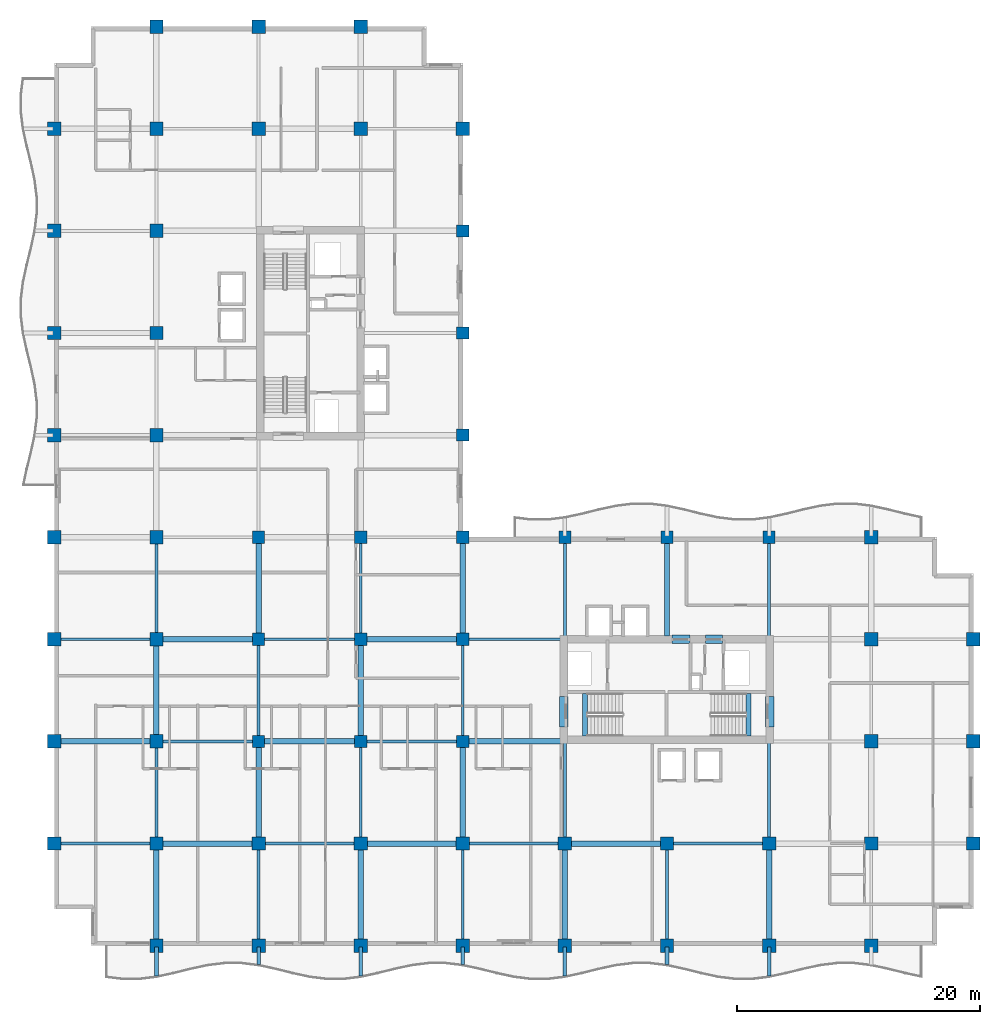
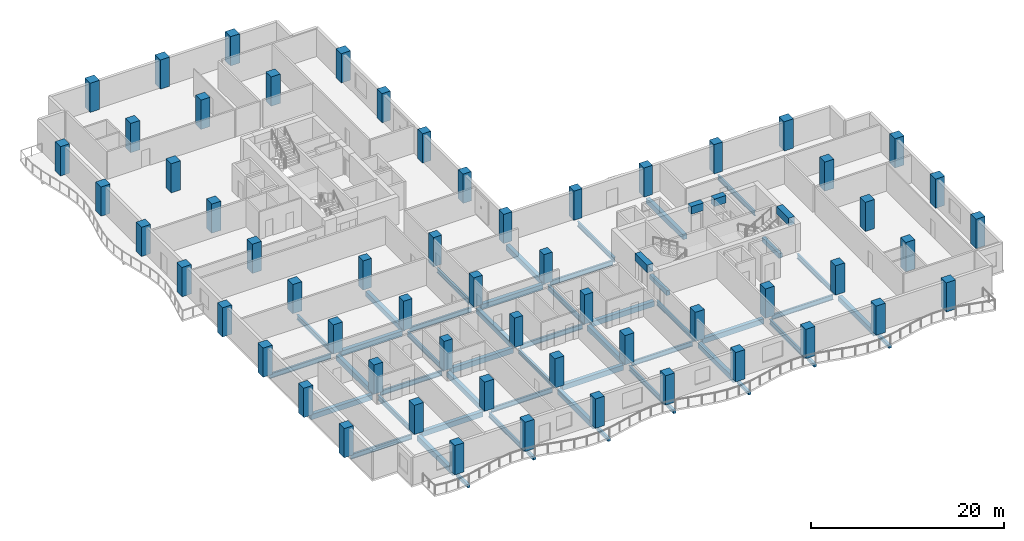
# One storey, part 1 of 14: 58 columns, 54 beams.
"""IFC4 building model written with IfcOpenShell, lengths in metres."""

import ifcopenshell
import ifcopenshell.guid

model = None  # the IFC model being written
_history = None  # IfcOwnerHistory: only IFC2X3 demands one
_inside = {}  # id of a spatial element -> (the spatial element, [elements in it])
_under = {}  # id of a project, library or spatial element -> (it, [spatial elements below it])
_declared = {}  # id of a project -> (the project, [libraries it declares])
_typed = {}  # id of a type object -> (the type object, [elements of that type])
_made_of = {}  # id of a material, layer set ... -> (it, [elements and type objects made of it])


def new_model(schema):
    """Start an empty IFC model of exactly this schema.

    Asked for "IFC4X3", IfcOpenShell would pick the latest addendum, in which some entities
    have other attributes; the version numbers below select the first issue.
    IFC2X3 requires an IfcOwnerHistory on every rooted entity: one is made here for all.
    """
    global model, _history
    if schema == "IFC4X3":
        model = ifcopenshell.file(schema_version=(4, 3, 0, 0))
    else:
        model = ifcopenshell.file(schema=schema)
    _inside.clear()
    _under.clear()
    _declared.clear()
    _typed.clear()
    _made_of.clear()
    _history = None
    if model.schema == "IFC2X3":
        org = make("IfcOrganization", Name="unknown")
        user = make(
            "IfcPersonAndOrganization",
            ThePerson=make("IfcPerson", FamilyName="unknown"),
            TheOrganization=org,
        )
        app = make(
            "IfcApplication",
            ApplicationDeveloper=org,
            Version="unknown",
            ApplicationFullName="unknown",
            ApplicationIdentifier="unknown",
        )
        _history = make(
            "IfcOwnerHistory",
            OwningUser=user,
            OwningApplication=app,
            ChangeAction="ADDED",
            CreationDate=0,
        )
    return model


def make(cls, **values):
    """One entity of the class cls with the attributes given. An attribute that is None is left unset."""
    return model.create_entity(
        cls, **{name: value for name, value in values.items() if value is not None}
    )


def rooted(cls, **values):
    """An entity with a GlobalId (a new one), such as an element, a storey or a relation."""
    return make(cls, GlobalId=ifcopenshell.guid.new(), OwnerHistory=_history, **values)


def si_unit(unit_type, name, prefix=None):
    """IfcSIUnit, for example si_unit("LENGTHUNIT", "METRE", prefix="MILLI")."""
    return make("IfcSIUnit", UnitType=unit_type, Prefix=prefix, Name=name)


def assignment(units):
    """IfcUnitAssignment: the units of a project."""
    return None if units is None else make("IfcUnitAssignment", Units=units)


def point(xyz):
    """IfcCartesianPoint."""
    return None if xyz is None else make("IfcCartesianPoint", Coordinates=xyz)


def direction(xyz):
    """IfcDirection."""
    return None if xyz is None else make("IfcDirection", DirectionRatios=xyz)


def frame(location, z_axis=None, x_axis=None):
    """IfcAxis2Placement3D, a coordinate frame: its origin and axes. An axis left out is left unset."""
    return make(
        "IfcAxis2Placement3D",
        Location=point(location),
        Axis=direction(z_axis),
        RefDirection=direction(x_axis),
    )


def frame_2d(location, x_axis=None):
    """IfcAxis2Placement2D, a coordinate frame in the plane: its origin and x axis."""
    return make(
        "IfcAxis2Placement2D", Location=point(location), RefDirection=direction(x_axis)
    )


def origin():
    """The frame at (0, 0, 0) with its axes left unset."""
    return frame((0.0, 0.0, 0.0))


def origin_2d():
    """The frame at (0, 0) in the plane with its x axis left unset."""
    return frame_2d((0.0, 0.0))


def place(relative_to, where):
    """IfcLocalPlacement: puts the frame where relative to a parent placement (None: the world)."""
    return make(
        "IfcLocalPlacement", PlacementRelTo=relative_to, RelativePlacement=where
    )


def context(
    kind, dimensions, precision=None, world=None, true_north=None, identifier=None
):
    """IfcGeometricRepresentationContext, for example the 3D "Model" context."""
    return make(
        "IfcGeometricRepresentationContext",
        ContextIdentifier=identifier,
        ContextType=kind,
        CoordinateSpaceDimension=dimensions,
        Precision=precision,
        WorldCoordinateSystem=world,
        TrueNorth=true_north,
    )


def subcontext(parent, identifier, kind, view, scale=None):
    """IfcGeometricRepresentationSubContext, for example "Body" below "Model"."""
    return make(
        "IfcGeometricRepresentationSubContext",
        ContextIdentifier=identifier,
        ContextType=kind,
        ParentContext=parent,
        TargetScale=scale,
        TargetView=view,
    )


def project(units=None, contexts=None):
    """IfcProject with its units and contexts."""
    return rooted(
        "IfcProject",
        Name="project",
        RepresentationContexts=contexts,
        UnitsInContext=assignment(units),
    )


def spatial(cls, under=None, at=None, **own):
    """A site, building, storey or space (cls), placed at a placement, below another one or the project."""
    s = rooted(cls, ObjectPlacement=at, **own)
    if under is not None:
        _under.setdefault(under.id(), (under, []))[1].append(s)
    return s


def profile(cls, at=None, kind="AREA", **sizes):
    """A parametric profile (cls). Its sizes go by their IFC names, for example OverallWidth=200.0."""
    return make(cls, ProfileType=kind, Position=at, **sizes)


def rectangle(**sizes):
    """IfcRectangleProfileDef."""
    return profile("IfcRectangleProfileDef", **sizes)


def i_section(**sizes):
    """IfcIShapeProfileDef."""
    return profile("IfcIShapeProfileDef", **sizes)


def extrude(swept, where, along, depth):
    """IfcExtrudedAreaSolid: the profile swept, set in the frame where, extruded along a direction by depth."""
    return make(
        "IfcExtrudedAreaSolid",
        SweptArea=swept,
        Position=where,
        ExtrudedDirection=direction(along),
        Depth=depth,
    )


def shape(context_of_items, identifier, shape_type, items):
    """IfcShapeRepresentation: the items that make up one representation, for example the "Body"."""
    return make(
        "IfcShapeRepresentation",
        ContextOfItems=context_of_items,
        RepresentationIdentifier=identifier,
        RepresentationType=shape_type,
        Items=items,
    )


def material(Name=None, Category=None):
    """IfcMaterial."""
    return make("IfcMaterial", Name=Name, Category=Category)


def material_profile(
    of_material, cross_section, Name=None, Category=None, Priority=None
):
    """IfcMaterialProfile: a cross section and its material."""
    return make(
        "IfcMaterialProfile",
        Name=Name,
        Material=of_material,
        Profile=cross_section,
        Priority=Priority,
        Category=Category,
    )


def profile_set(profiles, Name=None, composite=None):
    """IfcMaterialProfileSet."""
    return make(
        "IfcMaterialProfileSet",
        Name=Name,
        MaterialProfiles=profiles,
        CompositeProfile=composite,
    )


def made_of(thing, what):
    """Note that an element or type object is made of a material, layer set ...; save() writes the relation."""
    if what is not None:
        _made_of.setdefault(what.id(), (what, []))[1].append(thing)
    return thing


def type_object(cls, material=None, **own):
    """A type object (cls), such as IfcWallType, which elements share."""
    return made_of(rooted(cls, **own), material)


def element(
    cls,
    number,
    at=None,
    inside=None,
    cuts=None,
    type_object=None,
    material=None,
    context=None,
    identifier="Body",
    shape_type=None,
    held_by="IfcProductDefinitionShape",
    body=None,
    shapes=None,
    **own,
):
    """One element of the class cls, such as IfcWall. Its Tag is "e" and its number.

    at: its placement. inside: the storey or other place that contains it. cuts: it is an
    opening in that element (IfcRelVoidsElement). A single representation is given by context,
    identifier, shape_type and body (its items); several are given by shapes. held_by: the class
    of the entity that holds the representations. save() writes the other relations.
    """
    e = rooted(cls, Tag="e%d" % number, ObjectPlacement=at, **own)
    if body is not None:
        shapes = [shape(context, identifier, shape_type, body)]
    if shapes is not None:
        e.Representation = make(held_by, Representations=shapes)
    if inside is not None:
        _inside.setdefault(inside.id(), (inside, []))[1].append(e)
    if cuts is not None:
        rooted(
            "IfcRelVoidsElement", RelatingBuildingElement=cuts, RelatedOpeningElement=e
        )
    if type_object is not None:
        _typed.setdefault(type_object.id(), (type_object, []))[1].append(e)
    return made_of(e, material)


def aggregate(whole, parts):
    """IfcRelAggregates: a whole, such as a stair, and the parts it consists of."""
    return rooted("IfcRelAggregates", RelatingObject=whole, RelatedObjects=parts)


def save(model, path):
    """Write the relations noted so far, then the file.

    IfcRelAggregates (storeys below a building ...), IfcRelContainedInSpatialStructure (elements
    in a storey), IfcRelDefinesByType, IfcRelAssociatesMaterial and IfcRelDeclares: one each for
    every whole, place, type object, material and project.
    """
    for whole, parts in _under.values():
        aggregate(whole, parts)
    for where, things in _inside.values():
        rooted(
            "IfcRelContainedInSpatialStructure",
            RelatedElements=things,
            RelatingStructure=where,
        )
    for kind, things in _typed.values():
        rooted("IfcRelDefinesByType", RelatedObjects=things, RelatingType=kind)
    for what, things in _made_of.values():
        rooted("IfcRelAssociatesMaterial", RelatedObjects=things, RelatingMaterial=what)
    for by, libraries in _declared.values():
        rooted("IfcRelDeclares", RelatingContext=by, RelatedDefinitions=libraries)
    model.write(path)


model = new_model("IFC4")

# Units and contexts
model_context = context("Model", 3, precision=1e-05, world=origin(), true_north=direction((0.0, 1.0)))
body_context = subcontext(model_context, "Body", "Model", "MODEL_VIEW")
ifc_project = project(units=[si_unit("LENGTHUNIT", "METRE"), si_unit("AREAUNIT", "SQUARE_METRE"), si_unit("VOLUMEUNIT", "CUBIC_METRE"), si_unit("PLANEANGLEUNIT", "RADIAN"), si_unit("MASSUNIT", "GRAM", prefix="KILO")], contexts=[model_context])

# Site, building, storey
site_placement = place(None, origin())
site = spatial("IfcSite", under=ifc_project, at=site_placement, CompositionType="ELEMENT")
building_placement = place(site_placement, origin())
building = spatial("IfcBuilding", under=site, at=building_placement, Name="Koriwani Terraces Tower", CompositionType="ELEMENT")
storey_placement = place(building_placement, frame((0.0, 0.0, 208.699951171875)))
storey = spatial("IfcBuildingStorey", under=building, at=storey_placement, Name="L51", CompositionType="ELEMENT", Elevation=208.699951171875)

# Columns
ifc_material_1 = material(Name="Concrete C50/60", Category="concrete")
ifc_material_profile_1 = material_profile(ifc_material_1, rectangle(XDim=1.0, YDim=1.0, at=origin_2d()), Name="Concrete C50/60", Category="LoadBearing")
ifc_profile_set_1 = profile_set([ifc_material_profile_1], Name="Concrete C50/60")
column_type_1 = type_object("IfcColumnType", Name="COL_RC_1000X1000", PredefinedType="COLUMN", material=ifc_profile_set_1)
for number, where, z_axis, x_axis, name in (
    (1, (16.800048828125, 16.800048828125, 0.0), (0.0, 0.0, 1.0), (1.0, 0.0, 0.0), "L51 Column 3/C"),
    (2, (16.800048828125, 25.199951171875, 0.0), (0.0, 0.0, 1.0), (1.0, 0.0, 0.0), "L51 Column 3/D"),
    (3, (16.800048828125, 33.60009765625, 0.0), (0.0, 0.0, 1.0), (1.0, 0.0, 0.0), "L51 Column 3/E"),
    (4, (25.199951171875, 16.800048828125, 0.0), (0.0, 0.0, 1.0), (1.0, 0.0, 0.0), "L51 Column 4/C"),
    (5, (25.199951171875, 25.199951171875, 0.0), (0.0, 0.0, 1.0), (1.0, 0.0, 0.0), "L51 Column 4/D"),
    (6, (25.199951171875, 33.60009765625, 0.0), (0.0, 0.0, 1.0), (1.0, 0.0, 0.0), "L51 Column 4/E"),
    (7, (33.60009765625, 16.800048828125, 0.0), (0.0, 0.0, 1.0), (1.0, 0.0, 0.0), "L51 Column 5/C"),
    (8, (33.60009765625, 25.199951171875, 0.0), (0.0, 0.0, 1.0), (1.0, 0.0, 0.0), "L51 Column 5/D"),
    (9, (33.60009765625, 33.60009765625, 0.0), (0.0, 0.0, 1.0), (1.0, 0.0, 0.0), "L51 Column 5/E"),
    (10, (33.60009765625, 42.0, 0.0), (0.0, 0.0, 1.0), (1.0, 0.0, 0.0), "L51 Column 5/F"),
    (11, (33.60009765625, 50.39990234375, 0.0), (0.0, 0.0, 1.0), (1.0, 0.0, 0.0), "L51 Column 5/G"),
    (12, (33.60009765625, 58.800048828125, 0.0), (0.0, 0.0, 1.0), (1.0, 0.0, 0.0), "L51 Column 5/H"),
    (13, (42.0, 33.60009765625, 0.0), (0.0, 0.0, 1.0), (1.0, 0.0, 0.0), "L51 Column 6/E"),
    (14, (50.39990234375, 33.60009765625, 0.0), (0.0, 0.0, 1.0), (1.0, 0.0, 0.0), "L51 Column 7/E"),
    (15, (58.800048828125, 33.60009765625, 0.0), (0.0, 0.0, 1.0), (1.0, 0.0, 0.0), "L51 Column 8/E"),
):
    element("IfcColumn", number, at=place(storey_placement, frame(where, z_axis=z_axis, x_axis=x_axis)), inside=storey, type_object=column_type_1, Name=name, PredefinedType="COLUMN", context=body_context, shape_type="SweptSolid", body=[
        extrude(rectangle(XDim=1.0, YDim=1.0, at=origin_2d()), origin(), (0.0, 0.0, 1.0), 3.699951171875),
    ])
ifc_material_profile_2 = material_profile(ifc_material_1, rectangle(XDim=1.10009765625, YDim=1.10009765625, at=origin_2d()), Name="Concrete C50/60", Category="LoadBearing")
ifc_profile_set_2 = profile_set([ifc_material_profile_2], Name="Concrete C50/60")
column_type_2 = type_object("IfcColumnType", Name="COL_RC_1100X1100", PredefinedType="COLUMN", material=ifc_profile_set_2)
for number, where, z_axis, x_axis, name in (
    (16, (0.0, 8.39990234375, 0.0), (0.0, 0.0, 1.0), (1.0, 0.0, 0.0), "L51 Column 1/B"),
    (17, (0.0, 16.800048828125, 0.0), (0.0, 0.0, 1.0), (1.0, 0.0, 0.0), "L51 Column 1/C"),
    (18, (0.0, 25.199951171875, 0.0), (0.0, 0.0, 1.0), (1.0, 0.0, 0.0), "L51 Column 1/D"),
    (19, (0.0, 33.60009765625, 0.0), (0.0, 0.0, 1.0), (1.0, 0.0, 0.0), "L51 Column 1/E"),
    (20, (0.0, 42.0, 0.0), (0.0, 0.0, 1.0), (1.0, 0.0, 0.0), "L51 Column 1/F"),
    (21, (0.0, 50.39990234375, 0.0), (0.0, 0.0, 1.0), (1.0, 0.0, 0.0), "L51 Column 1/G"),
    (22, (0.0, 58.800048828125, 0.0), (0.0, 0.0, 1.0), (1.0, 0.0, 0.0), "L51 Column 1/H"),
    (23, (0.0, 67.199951171875, 0.0), (0.0, 0.0, 1.0), (1.0, 0.0, 0.0), "L51 Column 1/I"),
    (24, (8.39990234375, 0.0, 0.0), (0.0, 0.0, 1.0), (1.0, 0.0, 0.0), "L51 Column 2/A"),
    (25, (8.39990234375, 8.39990234375, 0.0), (0.0, 0.0, 1.0), (1.0, 0.0, 0.0), "L51 Column 2/B"),
    (26, (8.39990234375, 16.800048828125, 0.0), (0.0, 0.0, 1.0), (1.0, 0.0, 0.0), "L51 Column 2/C"),
    (27, (8.39990234375, 25.199951171875, 0.0), (0.0, 0.0, 1.0), (1.0, 0.0, 0.0), "L51 Column 2/D"),
    (28, (8.39990234375, 33.60009765625, 0.0), (0.0, 0.0, 1.0), (1.0, 0.0, 0.0), "L51 Column 2/E"),
    (29, (8.39990234375, 42.0, 0.0), (0.0, 0.0, 1.0), (1.0, 0.0, 0.0), "L51 Column 2/F"),
    (30, (8.39990234375, 50.39990234375, 0.0), (0.0, 0.0, 1.0), (1.0, 0.0, 0.0), "L51 Column 2/G"),
    (31, (8.39990234375, 58.800048828125, 0.0), (0.0, 0.0, 1.0), (1.0, 0.0, 0.0), "L51 Column 2/H"),
    (32, (8.39990234375, 67.199951171875, 0.0), (0.0, 0.0, 1.0), (1.0, 0.0, 0.0), "L51 Column 2/I"),
    (33, (8.39990234375, 75.60009765625, 0.0), (0.0, 0.0, 1.0), (1.0, 0.0, 0.0), "L51 Column 2/J"),
    (34, (16.800048828125, 0.0, 0.0), (0.0, 0.0, 1.0), (1.0, 0.0, 0.0), "L51 Column 3/A"),
    (35, (16.800048828125, 8.39990234375, 0.0), (0.0, 0.0, 1.0), (1.0, 0.0, 0.0), "L51 Column 3/B"),
    (36, (16.800048828125, 67.199951171875, 0.0), (0.0, 0.0, 1.0), (1.0, 0.0, 0.0), "L51 Column 3/I"),
    (37, (16.800048828125, 75.60009765625, 0.0), (0.0, 0.0, 1.0), (1.0, 0.0, 0.0), "L51 Column 3/J"),
    (38, (25.199951171875, 0.0, 0.0), (0.0, 0.0, 1.0), (1.0, 0.0, 0.0), "L51 Column 4/A"),
    (39, (25.199951171875, 8.39990234375, 0.0), (0.0, 0.0, 1.0), (1.0, 0.0, 0.0), "L51 Column 4/B"),
    (40, (25.199951171875, 67.199951171875, 0.0), (0.0, 0.0, 1.0), (1.0, 0.0, 0.0), "L51 Column 4/I"),
    (41, (25.199951171875, 75.60009765625, 0.0), (0.0, 0.0, 1.0), (1.0, 0.0, 0.0), "L51 Column 4/J"),
    (42, (33.60009765625, 0.0, 0.0), (0.0, 0.0, 1.0), (1.0, 0.0, 0.0), "L51 Column 5/A"),
    (43, (33.60009765625, 8.39990234375, 0.0), (0.0, 0.0, 1.0), (1.0, 0.0, 0.0), "L51 Column 5/B"),
    (44, (33.60009765625, 67.199951171875, 0.0), (0.0, 0.0, 1.0), (1.0, 0.0, 0.0), "L51 Column 5/I"),
    (45, (42.0, 0.0, 0.0), (0.0, 0.0, 1.0), (1.0, 0.0, 0.0), "L51 Column 6/A"),
    (46, (42.0, 8.39990234375, 0.0), (0.0, 0.0, 1.0), (1.0, 0.0, 0.0), "L51 Column 6/B"),
    (47, (50.39990234375, 0.0, 0.0), (0.0, 0.0, 1.0), (1.0, 0.0, 0.0), "L51 Column 7/A"),
    (48, (50.39990234375, 8.39990234375, 0.0), (0.0, 0.0, 1.0), (1.0, 0.0, 0.0), "L51 Column 7/B"),
    (49, (58.800048828125, 0.0, 0.0), (0.0, 0.0, 1.0), (1.0, 0.0, 0.0), "L51 Column 8/A"),
    (50, (58.800048828125, 8.39990234375, 0.0), (0.0, 0.0, 1.0), (1.0, 0.0, 0.0), "L51 Column 8/B"),
    (51, (67.199951171875, 0.0, 0.0), (0.0, 0.0, 1.0), (1.0, 0.0, 0.0), "L51 Column 9/A"),
    (52, (67.199951171875, 8.39990234375, 0.0), (0.0, 0.0, 1.0), (1.0, 0.0, 0.0), "L51 Column 9/B"),
    (53, (67.199951171875, 16.800048828125, 0.0), (0.0, 0.0, 1.0), (1.0, 0.0, 0.0), "L51 Column 9/C"),
    (54, (67.199951171875, 25.199951171875, 0.0), (0.0, 0.0, 1.0), (1.0, 0.0, 0.0), "L51 Column 9/D"),
    (55, (67.199951171875, 33.60009765625, 0.0), (0.0, 0.0, 1.0), (1.0, 0.0, 0.0), "L51 Column 9/E"),
    (56, (75.60009765625, 8.39990234375, 0.0), (0.0, 0.0, 1.0), (1.0, 0.0, 0.0), "L51 Column 10/B"),
    (57, (75.60009765625, 16.800048828125, 0.0), (0.0, 0.0, 1.0), (1.0, 0.0, 0.0), "L51 Column 10/C"),
    (58, (75.60009765625, 25.199951171875, 0.0), (0.0, 0.0, 1.0), (1.0, 0.0, 0.0), "L51 Column 10/D"),
):
    element("IfcColumn", number, at=place(storey_placement, frame(where, z_axis=z_axis, x_axis=x_axis)), inside=storey, type_object=column_type_2, Name=name, PredefinedType="COLUMN", context=body_context, shape_type="SweptSolid", body=[
        extrude(rectangle(XDim=1.10009765625, YDim=1.10009765625, at=origin_2d()), origin(), (0.0, 0.0, 1.0), 3.699951171875),
    ])

# Beams
ifc_material_2 = material(Name="Concrete C40/50", Category="concrete")
ifc_material_profile_3 = material_profile(ifc_material_2, rectangle(XDim=0.300048828125, YDim=0.39990234375, at=origin_2d()), Name="Concrete C40/50", Category="LoadBearing")
ifc_profile_set_3 = profile_set([ifc_material_profile_3], Name="Concrete C40/50")
beam_type_1 = type_object("IfcBeamType", Name="BEAM_RC_BALCONY_RIB_300X400", PredefinedType="JOIST", material=ifc_profile_set_3)
beam_1_placement = place(storey_placement, frame((8.39990234375, -2.502197265625, -0.429931640625), z_axis=(0.0, 1.0, 0.0), x_axis=(-1.0, 0.0, 0.0)))
element("IfcBeam", 59, at=beam_1_placement, inside=storey, type_object=beam_type_1, Name="L51 Balcony Bracket Rib S-1", PredefinedType="JOIST", context=body_context, shape_type="SweptSolid", body=[
    extrude(rectangle(XDim=0.300048828125, YDim=0.39990234375, at=origin_2d()), origin(), (0.0, 0.0, 1.0), 2.402099609375),
])
beam_2_placement = place(storey_placement, frame((16.800048828125, -1.547607421875, -0.429931640625), z_axis=(0.0, 1.0, 0.0), x_axis=(-1.0, 0.0, 0.0)))
element("IfcBeam", 60, at=beam_2_placement, inside=storey, type_object=beam_type_1, Name="L51 Balcony Bracket Rib S-2", PredefinedType="JOIST", context=body_context, shape_type="SweptSolid", body=[
    extrude(rectangle(XDim=0.300048828125, YDim=0.39990234375, at=origin_2d()), origin(), (0.0, 0.0, 1.0), 1.447509765625),
])
beam_3_placement = place(storey_placement, frame((25.199951171875, -2.502197265625, -0.429931640625), z_axis=(0.0, 1.0, 0.0), x_axis=(-1.0, 0.0, 0.0)))
element("IfcBeam", 61, at=beam_3_placement, inside=storey, type_object=beam_type_1, Name="L51 Balcony Bracket Rib S-3", PredefinedType="JOIST", context=body_context, shape_type="SweptSolid", body=[
    extrude(rectangle(XDim=0.300048828125, YDim=0.39990234375, at=origin_2d()), origin(), (0.0, 0.0, 1.0), 2.402099609375),
])
beam_4_placement = place(storey_placement, frame((33.60009765625, -1.547607421875, -0.429931640625), z_axis=(0.0, 1.0, 0.0), x_axis=(-1.0, 0.0, 0.0)))
element("IfcBeam", 62, at=beam_4_placement, inside=storey, type_object=beam_type_1, Name="L51 Balcony Bracket Rib S-4", PredefinedType="JOIST", context=body_context, shape_type="SweptSolid", body=[
    extrude(rectangle(XDim=0.300048828125, YDim=0.39990234375, at=origin_2d()), origin(), (0.0, 0.0, 1.0), 1.447509765625),
])
beam_5_placement = place(storey_placement, frame((42.0, -2.502197265625, -0.429931640625), z_axis=(0.0, 1.0, 0.0), x_axis=(-1.0, 0.0, 0.0)))
element("IfcBeam", 63, at=beam_5_placement, inside=storey, type_object=beam_type_1, Name="L51 Balcony Bracket Rib S-5", PredefinedType="JOIST", context=body_context, shape_type="SweptSolid", body=[
    extrude(rectangle(XDim=0.300048828125, YDim=0.39990234375, at=origin_2d()), origin(), (0.0, 0.0, 1.0), 2.402099609375),
])
beam_6_placement = place(storey_placement, frame((50.39990234375, -1.547607421875, -0.429931640625), z_axis=(0.0, 1.0, 0.0), x_axis=(-1.0, 0.0, 0.0)))
element("IfcBeam", 64, at=beam_6_placement, inside=storey, type_object=beam_type_1, Name="L51 Balcony Bracket Rib S-6", PredefinedType="JOIST", context=body_context, shape_type="SweptSolid", body=[
    extrude(rectangle(XDim=0.300048828125, YDim=0.39990234375, at=origin_2d()), origin(), (0.0, 0.0, 1.0), 1.447509765625),
])
beam_7_placement = place(storey_placement, frame((58.800048828125, -2.502197265625, -0.429931640625), z_axis=(0.0, 1.0, 0.0), x_axis=(-1.0, 0.0, 0.0)))
element("IfcBeam", 65, at=beam_7_placement, inside=storey, type_object=beam_type_1, Name="L51 Balcony Bracket Rib S-7", PredefinedType="JOIST", context=body_context, shape_type="SweptSolid", body=[
    extrude(rectangle(XDim=0.300048828125, YDim=0.39990234375, at=origin_2d()), origin(), (0.0, 0.0, 1.0), 2.402099609375),
])
ifc_material_3 = material(Name="Concrete C60/75", Category="concrete")
ifc_material_profile_4 = material_profile(ifc_material_3, rectangle(XDim=0.699951171875, YDim=0.949951171875, at=origin_2d()), Name="Concrete C60/75", Category="LoadBearing")
ifc_profile_set_4 = profile_set([ifc_material_profile_4], Name="Concrete C60/75")
beam_type_2 = type_object("IfcBeamType", Name="BEAM_RC_COUPLING_700X950", PredefinedType="LINTEL", material=ifc_profile_set_4)
beam_8_placement = place(storey_placement, frame((50.800048828125, 25.199951171875, 2.9951171875), z_axis=(1.0, 0.0, 0.0), x_axis=(0.0, 1.0, 0.0)))
element("IfcBeam", 66, at=beam_8_placement, inside=storey, type_object=beam_type_2, Name="L51 Core Coupling Lintel Beam EN1", PredefinedType="LINTEL", context=body_context, shape_type="SweptSolid", body=[
    extrude(rectangle(XDim=0.699951171875, YDim=0.949951171875, at=origin_2d()), origin(), (0.0, 0.0, 1.0), 1.47998046875),
])
beam_9_placement = place(storey_placement, frame((53.550048828125, 25.199951171875, 2.9951171875), z_axis=(1.0, 0.0, 0.0), x_axis=(0.0, 1.0, 0.0)))
element("IfcBeam", 67, at=beam_9_placement, inside=storey, type_object=beam_type_2, Name="L51 Core Coupling Lintel Beam EN2", PredefinedType="LINTEL", context=body_context, shape_type="SweptSolid", body=[
    extrude(rectangle(XDim=0.699951171875, YDim=0.949951171875, at=origin_2d()), origin(), (0.0, 0.0, 1.0), 1.39990234375),
])
for number, where, z_axis, x_axis, name in (
    (68, (41.89990234375, 18.0, 2.9951171875), (0.0, 1.0, 0.0), (-1.0, 0.0, 0.0), "L51 Core Coupling Lintel Beam EW"),
    (69, (58.85009765625, 18.0, 2.9951171875), (0.0, 1.0, 0.0), (-1.0, 0.0, 0.0), "L51 Core Coupling Lintel Beam EE"),
):
    element("IfcBeam", number, at=place(storey_placement, frame(where, z_axis=z_axis, x_axis=x_axis)), inside=storey, type_object=beam_type_2, Name=name, PredefinedType="LINTEL", context=body_context, shape_type="SweptSolid", body=[
        extrude(rectangle(XDim=0.699951171875, YDim=0.949951171875, at=origin_2d()), origin(), (0.0, 0.0, 1.0), 2.5),
    ])
ifc_material_profile_5 = material_profile(ifc_material_2, rectangle(XDim=0.39990234375, YDim=0.60009765625, at=origin_2d()), Name="Concrete C40/50", Category="LoadBearing")
ifc_profile_set_5 = profile_set([ifc_material_profile_5], Name="Concrete C40/50")
beam_type_3 = type_object("IfcBeamType", Name="BEAM_RC_GRID_400X600", PredefinedType="BEAM", material=ifc_profile_set_5)
for number, where, z_axis, x_axis, name in (
    (70, (43.655029296875, 17.25, -0.300048828125), (0.0, 1.0, 0.0), (-1.0, 0.0, 0.0), "L51 Stairwell Header Trimmer Beam ST-E1"),
    (71, (57.094970703125, 17.25, -0.300048828125), (0.0, 1.0, 0.0), (-1.0, 0.0, 0.0), "L51 Stairwell Header Trimmer Beam ST-E2"),
):
    element("IfcBeam", number, at=place(storey_placement, frame(where, z_axis=z_axis, x_axis=x_axis)), inside=storey, type_object=beam_type_3, Name=name, PredefinedType="BEAM", context=body_context, shape_type="SweptSolid", body=[
        extrude(rectangle(XDim=0.39990234375, YDim=0.60009765625, at=origin_2d()), origin(), (0.0, 0.0, 1.0), 3.5),
    ])
ifc_material_profile_6 = material_profile(ifc_material_1, rectangle(XDim=0.449951171875, YDim=0.64990234375, at=origin_2d()), Name="Concrete C50/60", Category="LoadBearing")
ifc_profile_set_6 = profile_set([ifc_material_profile_6], Name="Concrete C50/60")
beam_type_4 = type_object("IfcBeamType", Name="BEAM_RC_GRID_450X650", PredefinedType="BEAM", material=ifc_profile_set_6)
for number, where, z_axis, x_axis, name in (
    (72, (8.929931640625, 8.39990234375, -0.554931640625), (1.0, 0.0, 0.0), (0.0, 1.0, 0.0), "L51 Grid Beam B (8.4-16.8m)"),
    (73, (25.72998046875, 8.39990234375, -0.554931640625), (1.0, 0.0, 0.0), (0.0, 1.0, 0.0), "L51 Grid Beam B (25.2-33.6m)"),
    (74, (42.530029296875, 8.39990234375, -0.554931640625), (1.0, 0.0, 0.0), (0.0, 1.0, 0.0), "L51 Grid Beam B (42.0-50.4m)"),
    (75, (0.530029296875, 16.800048828125, -0.554931640625), (1.0, 0.0, 0.0), (0.0, 1.0, 0.0), "L51 Grid Beam C (0.0-8.4m)"),
):
    element("IfcBeam", number, at=place(storey_placement, frame(where, z_axis=z_axis, x_axis=x_axis)), inside=storey, type_object=beam_type_4, Name=name, PredefinedType="BEAM", context=body_context, shape_type="SweptSolid", body=[
        extrude(rectangle(XDim=0.449951171875, YDim=0.64990234375, at=origin_2d()), origin(), (0.0, 0.0, 1.0), 7.340087890625),
    ])
beam_10_placement = place(storey_placement, frame((17.280029296875, 16.800048828125, -0.554931640625), z_axis=(1.0, 0.0, 0.0), x_axis=(0.0, 1.0, 0.0)))
element("IfcBeam", 76, at=beam_10_placement, inside=storey, type_object=beam_type_4, Name="L51 Grid Beam C (16.8-25.2m)", PredefinedType="BEAM", context=body_context, shape_type="SweptSolid", body=[
    extrude(rectangle(XDim=0.449951171875, YDim=0.64990234375, at=origin_2d()), origin(), (0.0, 0.0, 1.0), 7.43994140625),
])
beam_11_placement = place(storey_placement, frame((34.080078125, 16.800048828125, -0.554931640625), z_axis=(1.0, 0.0, 0.0), x_axis=(0.0, 1.0, 0.0)))
element("IfcBeam", 77, at=beam_11_placement, inside=storey, type_object=beam_type_4, Name="L51 Grid Beam C (33.6-42.0m)", PredefinedType="BEAM", context=body_context, shape_type="SweptSolid", body=[
    extrude(rectangle(XDim=0.449951171875, YDim=0.64990234375, at=origin_2d()), origin(), (0.0, 0.0, 1.0), 7.5400390625),
])
beam_12_placement = place(storey_placement, frame((8.929931640625, 25.199951171875, -0.554931640625), z_axis=(1.0, 0.0, 0.0), x_axis=(0.0, 1.0, 0.0)))
element("IfcBeam", 78, at=beam_12_placement, inside=storey, type_object=beam_type_4, Name="L51 Grid Beam D (8.4-16.8m)", PredefinedType="BEAM", context=body_context, shape_type="SweptSolid", body=[
    extrude(rectangle(XDim=0.449951171875, YDim=0.64990234375, at=origin_2d()), origin(), (0.0, 0.0, 1.0), 7.39013671875),
])
beam_13_placement = place(storey_placement, frame((25.679931640625, 25.199951171875, -0.554931640625), z_axis=(1.0, 0.0, 0.0), x_axis=(0.0, 1.0, 0.0)))
element("IfcBeam", 79, at=beam_13_placement, inside=storey, type_object=beam_type_4, Name="L51 Grid Beam D (25.2-33.6m)", PredefinedType="BEAM", context=body_context, shape_type="SweptSolid", body=[
    extrude(rectangle(XDim=0.449951171875, YDim=0.64990234375, at=origin_2d()), origin(), (0.0, 0.0, 1.0), 7.440185546875),
])
beam_14_placement = place(storey_placement, frame((8.39990234375, 0.530029296875, -0.554931640625), z_axis=(0.0, 1.0, 0.0), x_axis=(-1.0, 0.0, 0.0)))
element("IfcBeam", 80, at=beam_14_placement, inside=storey, type_object=beam_type_4, Name="L51 Grid Beam 2 (0.0-8.4m)", PredefinedType="BEAM", context=body_context, shape_type="SweptSolid", body=[
    extrude(rectangle(XDim=0.449951171875, YDim=0.64990234375, at=origin_2d()), origin(), (0.0, 0.0, 1.0), 7.340087890625),
])
beam_15_placement = place(storey_placement, frame((8.39990234375, 17.330078125, -0.554931640625), z_axis=(0.0, 1.0, 0.0), x_axis=(-1.0, 0.0, 0.0)))
element("IfcBeam", 81, at=beam_15_placement, inside=storey, type_object=beam_type_4, Name="L51 Grid Beam 2 (16.8-25.2m)", PredefinedType="BEAM", context=body_context, shape_type="SweptSolid", body=[
    extrude(rectangle(XDim=0.449951171875, YDim=0.64990234375, at=origin_2d()), origin(), (0.0, 0.0, 1.0), 7.33984375),
])
beam_16_placement = place(storey_placement, frame((16.800048828125, 8.929931640625, -0.554931640625), z_axis=(0.0, 1.0, 0.0), x_axis=(-1.0, 0.0, 0.0)))
element("IfcBeam", 82, at=beam_16_placement, inside=storey, type_object=beam_type_4, Name="L51 Grid Beam 3 (8.4-16.8m)", PredefinedType="BEAM", context=body_context, shape_type="SweptSolid", body=[
    extrude(rectangle(XDim=0.449951171875, YDim=0.64990234375, at=origin_2d()), origin(), (0.0, 0.0, 1.0), 7.39013671875),
])
beam_17_placement = place(storey_placement, frame((16.800048828125, 25.679931640625, -0.554931640625), z_axis=(0.0, 1.0, 0.0), x_axis=(-1.0, 0.0, 0.0)))
element("IfcBeam", 83, at=beam_17_placement, inside=storey, type_object=beam_type_4, Name="L51 Grid Beam 3 (25.2-33.6m)", PredefinedType="BEAM", context=body_context, shape_type="SweptSolid", body=[
    extrude(rectangle(XDim=0.449951171875, YDim=0.64990234375, at=origin_2d()), origin(), (0.0, 0.0, 1.0), 7.440185546875),
])
beam_18_placement = place(storey_placement, frame((25.199951171875, 0.530029296875, -0.554931640625), z_axis=(0.0, 1.0, 0.0), x_axis=(-1.0, 0.0, 0.0)))
element("IfcBeam", 84, at=beam_18_placement, inside=storey, type_object=beam_type_4, Name="L51 Grid Beam 4 (0.0-8.4m)", PredefinedType="BEAM", context=body_context, shape_type="SweptSolid", body=[
    extrude(rectangle(XDim=0.449951171875, YDim=0.64990234375, at=origin_2d()), origin(), (0.0, 0.0, 1.0), 7.340087890625),
])
beam_19_placement = place(storey_placement, frame((25.199951171875, 17.280029296875, -0.554931640625), z_axis=(0.0, 1.0, 0.0), x_axis=(-1.0, 0.0, 0.0)))
element("IfcBeam", 85, at=beam_19_placement, inside=storey, type_object=beam_type_4, Name="L51 Grid Beam 4 (16.8-25.2m)", PredefinedType="BEAM", context=body_context, shape_type="SweptSolid", body=[
    extrude(rectangle(XDim=0.449951171875, YDim=0.64990234375, at=origin_2d()), origin(), (0.0, 0.0, 1.0), 7.43994140625),
])
beam_20_placement = place(storey_placement, frame((33.60009765625, 8.929931640625, -0.554931640625), z_axis=(0.0, 1.0, 0.0), x_axis=(-1.0, 0.0, 0.0)))
element("IfcBeam", 86, at=beam_20_placement, inside=storey, type_object=beam_type_4, Name="L51 Grid Beam 5 (8.4-16.8m)", PredefinedType="BEAM", context=body_context, shape_type="SweptSolid", body=[
    extrude(rectangle(XDim=0.449951171875, YDim=0.64990234375, at=origin_2d()), origin(), (0.0, 0.0, 1.0), 7.39013671875),
])
beam_21_placement = place(storey_placement, frame((33.60009765625, 25.679931640625, -0.554931640625), z_axis=(0.0, 1.0, 0.0), x_axis=(-1.0, 0.0, 0.0)))
element("IfcBeam", 87, at=beam_21_placement, inside=storey, type_object=beam_type_4, Name="L51 Grid Beam 5 (25.2-33.6m)", PredefinedType="BEAM", context=body_context, shape_type="SweptSolid", body=[
    extrude(rectangle(XDim=0.449951171875, YDim=0.64990234375, at=origin_2d()), origin(), (0.0, 0.0, 1.0), 7.440185546875),
])
beam_22_placement = place(storey_placement, frame((42.0, 0.530029296875, -0.554931640625), z_axis=(0.0, 1.0, 0.0), x_axis=(-1.0, 0.0, 0.0)))
element("IfcBeam", 88, at=beam_22_placement, inside=storey, type_object=beam_type_4, Name="L51 Grid Beam 6 (0.0-8.4m)", PredefinedType="BEAM", context=body_context, shape_type="SweptSolid", body=[
    extrude(rectangle(XDim=0.449951171875, YDim=0.64990234375, at=origin_2d()), origin(), (0.0, 0.0, 1.0), 7.340087890625),
])
beam_23_placement = place(storey_placement, frame((50.39990234375, 25.47998046875, -0.554931640625), z_axis=(0.0, 1.0, 0.0), x_axis=(-1.0, 0.0, 0.0)))
element("IfcBeam", 89, at=beam_23_placement, inside=storey, type_object=beam_type_4, Name="L51 Grid Beam 7 (25.2-33.6m)", PredefinedType="BEAM", context=body_context, shape_type="SweptSolid", body=[
    extrude(rectangle(XDim=0.449951171875, YDim=0.64990234375, at=origin_2d()), origin(), (0.0, 0.0, 1.0), 7.64013671875),
])
beam_24_placement = place(storey_placement, frame((58.800048828125, 0.530029296875, -0.554931640625), z_axis=(0.0, 1.0, 0.0), x_axis=(-1.0, 0.0, 0.0)))
element("IfcBeam", 90, at=beam_24_placement, inside=storey, type_object=beam_type_4, Name="L51 Grid Beam 8 (0.0-8.4m)", PredefinedType="BEAM", context=body_context, shape_type="SweptSolid", body=[
    extrude(rectangle(XDim=0.449951171875, YDim=0.64990234375, at=origin_2d()), origin(), (0.0, 0.0, 1.0), 7.340087890625),
])
ifc_material_4 = material(Name="Steel ASTM A572 Grade 50", Category="steel")
ifc_material_profile_7 = material_profile(ifc_material_4, i_section(OverallWidth=0.22900390625, OverallDepth=0.611083984375, WebThickness=0.0126953125, FlangeThickness=0.022216796875, at=origin_2d()), Name="Steel ASTM A572 Grade 50", Category="LoadBearing")
ifc_profile_set_7 = profile_set([ifc_material_profile_7], Name="Steel ASTM A572 Grade 50")
beam_type_5 = type_object("IfcBeamType", Name="STEEL_BEAM_W610X155", PredefinedType="BEAM", material=ifc_profile_set_7)
beam_25_placement = place(storey_placement, frame((0.530029296875, 8.39990234375, -0.535400390625), z_axis=(1.0, 0.0, 0.0), x_axis=(0.0, 1.0, 0.0)))
element("IfcBeam", 91, at=beam_25_placement, inside=storey, type_object=beam_type_5, Name="L51 Grid Beam B (0.0-8.4m)", PredefinedType="BEAM", context=body_context, shape_type="SweptSolid", body=[
    extrude(i_section(OverallWidth=0.22900390625, OverallDepth=0.611083984375, WebThickness=0.0126953125, FlangeThickness=0.022216796875, at=origin_2d()), origin(), (0.0, 0.0, 1.0), 7.340087890625),
])
beam_26_placement = place(storey_placement, frame((17.330078125, 8.39990234375, -0.535400390625), z_axis=(1.0, 0.0, 0.0), x_axis=(0.0, 1.0, 0.0)))
element("IfcBeam", 92, at=beam_26_placement, inside=storey, type_object=beam_type_5, Name="L51 Grid Beam B (16.8-25.2m)", PredefinedType="BEAM", context=body_context, shape_type="SweptSolid", body=[
    extrude(i_section(OverallWidth=0.22900390625, OverallDepth=0.611083984375, WebThickness=0.0126953125, FlangeThickness=0.022216796875, at=origin_2d()), origin(), (0.0, 0.0, 1.0), 7.33984375),
])
for number, where, z_axis, x_axis, name in (
    (93, (34.1298828125, 8.39990234375, -0.535400390625), (1.0, 0.0, 0.0), (0.0, 1.0, 0.0), "L51 Grid Beam B (33.6-42.0m)"),
    (94, (50.929931640625, 8.39990234375, -0.535400390625), (1.0, 0.0, 0.0), (0.0, 1.0, 0.0), "L51 Grid Beam B (50.4-58.8m)"),
):
    element("IfcBeam", number, at=place(storey_placement, frame(where, z_axis=z_axis, x_axis=x_axis)), inside=storey, type_object=beam_type_5, Name=name, PredefinedType="BEAM", context=body_context, shape_type="SweptSolid", body=[
        extrude(i_section(OverallWidth=0.22900390625, OverallDepth=0.611083984375, WebThickness=0.0126953125, FlangeThickness=0.022216796875, at=origin_2d()), origin(), (0.0, 0.0, 1.0), 7.340087890625),
    ])
beam_27_placement = place(storey_placement, frame((8.929931640625, 16.800048828125, -0.535400390625), z_axis=(1.0, 0.0, 0.0), x_axis=(0.0, 1.0, 0.0)))
element("IfcBeam", 95, at=beam_27_placement, inside=storey, type_object=beam_type_5, Name="L51 Grid Beam C (8.4-16.8m)", PredefinedType="BEAM", context=body_context, shape_type="SweptSolid", body=[
    extrude(i_section(OverallWidth=0.22900390625, OverallDepth=0.611083984375, WebThickness=0.0126953125, FlangeThickness=0.022216796875, at=origin_2d()), origin(), (0.0, 0.0, 1.0), 7.39013671875),
])
beam_28_placement = place(storey_placement, frame((25.679931640625, 16.800048828125, -0.535400390625), z_axis=(1.0, 0.0, 0.0), x_axis=(0.0, 1.0, 0.0)))
element("IfcBeam", 96, at=beam_28_placement, inside=storey, type_object=beam_type_5, Name="L51 Grid Beam C (25.2-33.6m)", PredefinedType="BEAM", context=body_context, shape_type="SweptSolid", body=[
    extrude(i_section(OverallWidth=0.22900390625, OverallDepth=0.611083984375, WebThickness=0.0126953125, FlangeThickness=0.022216796875, at=origin_2d()), origin(), (0.0, 0.0, 1.0), 7.440185546875),
])
beam_29_placement = place(storey_placement, frame((0.530029296875, 25.199951171875, -0.535400390625), z_axis=(1.0, 0.0, 0.0), x_axis=(0.0, 1.0, 0.0)))
element("IfcBeam", 97, at=beam_29_placement, inside=storey, type_object=beam_type_5, Name="L51 Grid Beam D (0.0-8.4m)", PredefinedType="BEAM", context=body_context, shape_type="SweptSolid", body=[
    extrude(i_section(OverallWidth=0.22900390625, OverallDepth=0.611083984375, WebThickness=0.0126953125, FlangeThickness=0.022216796875, at=origin_2d()), origin(), (0.0, 0.0, 1.0), 7.340087890625),
])
beam_30_placement = place(storey_placement, frame((17.280029296875, 25.199951171875, -0.535400390625), z_axis=(1.0, 0.0, 0.0), x_axis=(0.0, 1.0, 0.0)))
element("IfcBeam", 98, at=beam_30_placement, inside=storey, type_object=beam_type_5, Name="L51 Grid Beam D (16.8-25.2m)", PredefinedType="BEAM", context=body_context, shape_type="SweptSolid", body=[
    extrude(i_section(OverallWidth=0.22900390625, OverallDepth=0.611083984375, WebThickness=0.0126953125, FlangeThickness=0.022216796875, at=origin_2d()), origin(), (0.0, 0.0, 1.0), 7.43994140625),
])
beam_31_placement = place(storey_placement, frame((34.080078125, 25.199951171875, -0.535400390625), z_axis=(1.0, 0.0, 0.0), x_axis=(0.0, 1.0, 0.0)))
element("IfcBeam", 99, at=beam_31_placement, inside=storey, type_object=beam_type_5, Name="L51 Grid Beam D (33.6-42.0m)", PredefinedType="BEAM", context=body_context, shape_type="SweptSolid", body=[
    extrude(i_section(OverallWidth=0.22900390625, OverallDepth=0.611083984375, WebThickness=0.0126953125, FlangeThickness=0.022216796875, at=origin_2d()), origin(), (0.0, 0.0, 1.0), 7.5400390625),
])
for number, where, z_axis, x_axis, name in (
    (100, (8.39990234375, 8.929931640625, -0.535400390625), (0.0, 1.0, 0.0), (-1.0, 0.0, 0.0), "L51 Grid Beam 2 (8.4-16.8m)"),
    (101, (8.39990234375, 25.72998046875, -0.535400390625), (0.0, 1.0, 0.0), (-1.0, 0.0, 0.0), "L51 Grid Beam 2 (25.2-33.6m)"),
    (102, (16.800048828125, 0.530029296875, -0.535400390625), (0.0, 1.0, 0.0), (-1.0, 0.0, 0.0), "L51 Grid Beam 3 (0.0-8.4m)"),
):
    element("IfcBeam", number, at=place(storey_placement, frame(where, z_axis=z_axis, x_axis=x_axis)), inside=storey, type_object=beam_type_5, Name=name, PredefinedType="BEAM", context=body_context, shape_type="SweptSolid", body=[
        extrude(i_section(OverallWidth=0.22900390625, OverallDepth=0.611083984375, WebThickness=0.0126953125, FlangeThickness=0.022216796875, at=origin_2d()), origin(), (0.0, 0.0, 1.0), 7.340087890625),
    ])
beam_32_placement = place(storey_placement, frame((16.800048828125, 17.280029296875, -0.535400390625), z_axis=(0.0, 1.0, 0.0), x_axis=(-1.0, 0.0, 0.0)))
element("IfcBeam", 103, at=beam_32_placement, inside=storey, type_object=beam_type_5, Name="L51 Grid Beam 3 (16.8-25.2m)", PredefinedType="BEAM", context=body_context, shape_type="SweptSolid", body=[
    extrude(i_section(OverallWidth=0.22900390625, OverallDepth=0.611083984375, WebThickness=0.0126953125, FlangeThickness=0.022216796875, at=origin_2d()), origin(), (0.0, 0.0, 1.0), 7.43994140625),
])
beam_33_placement = place(storey_placement, frame((25.199951171875, 8.929931640625, -0.535400390625), z_axis=(0.0, 1.0, 0.0), x_axis=(-1.0, 0.0, 0.0)))
element("IfcBeam", 104, at=beam_33_placement, inside=storey, type_object=beam_type_5, Name="L51 Grid Beam 4 (8.4-16.8m)", PredefinedType="BEAM", context=body_context, shape_type="SweptSolid", body=[
    extrude(i_section(OverallWidth=0.22900390625, OverallDepth=0.611083984375, WebThickness=0.0126953125, FlangeThickness=0.022216796875, at=origin_2d()), origin(), (0.0, 0.0, 1.0), 7.39013671875),
])
beam_34_placement = place(storey_placement, frame((25.199951171875, 25.679931640625, -0.535400390625), z_axis=(0.0, 1.0, 0.0), x_axis=(-1.0, 0.0, 0.0)))
element("IfcBeam", 105, at=beam_34_placement, inside=storey, type_object=beam_type_5, Name="L51 Grid Beam 4 (25.2-33.6m)", PredefinedType="BEAM", context=body_context, shape_type="SweptSolid", body=[
    extrude(i_section(OverallWidth=0.22900390625, OverallDepth=0.611083984375, WebThickness=0.0126953125, FlangeThickness=0.022216796875, at=origin_2d()), origin(), (0.0, 0.0, 1.0), 7.440185546875),
])
beam_35_placement = place(storey_placement, frame((33.60009765625, 0.530029296875, -0.535400390625), z_axis=(0.0, 1.0, 0.0), x_axis=(-1.0, 0.0, 0.0)))
element("IfcBeam", 106, at=beam_35_placement, inside=storey, type_object=beam_type_5, Name="L51 Grid Beam 5 (0.0-8.4m)", PredefinedType="BEAM", context=body_context, shape_type="SweptSolid", body=[
    extrude(i_section(OverallWidth=0.22900390625, OverallDepth=0.611083984375, WebThickness=0.0126953125, FlangeThickness=0.022216796875, at=origin_2d()), origin(), (0.0, 0.0, 1.0), 7.340087890625),
])
beam_36_placement = place(storey_placement, frame((33.60009765625, 17.280029296875, -0.535400390625), z_axis=(0.0, 1.0, 0.0), x_axis=(-1.0, 0.0, 0.0)))
element("IfcBeam", 107, at=beam_36_placement, inside=storey, type_object=beam_type_5, Name="L51 Grid Beam 5 (16.8-25.2m)", PredefinedType="BEAM", context=body_context, shape_type="SweptSolid", body=[
    extrude(i_section(OverallWidth=0.22900390625, OverallDepth=0.611083984375, WebThickness=0.0126953125, FlangeThickness=0.022216796875, at=origin_2d()), origin(), (0.0, 0.0, 1.0), 7.43994140625),
])
beam_37_placement = place(storey_placement, frame((42.0, 8.929931640625, -0.535400390625), z_axis=(0.0, 1.0, 0.0), x_axis=(-1.0, 0.0, 0.0)))
element("IfcBeam", 108, at=beam_37_placement, inside=storey, type_object=beam_type_5, Name="L51 Grid Beam 6 (8.4-16.8m)", PredefinedType="BEAM", context=body_context, shape_type="SweptSolid", body=[
    extrude(i_section(OverallWidth=0.22900390625, OverallDepth=0.611083984375, WebThickness=0.0126953125, FlangeThickness=0.022216796875, at=origin_2d()), origin(), (0.0, 0.0, 1.0), 7.739990234375),
])
beam_38_placement = place(storey_placement, frame((42.0, 25.47998046875, -0.535400390625), z_axis=(0.0, 1.0, 0.0), x_axis=(-1.0, 0.0, 0.0)))
element("IfcBeam", 109, at=beam_38_placement, inside=storey, type_object=beam_type_5, Name="L51 Grid Beam 6 (25.2-33.6m)", PredefinedType="BEAM", context=body_context, shape_type="SweptSolid", body=[
    extrude(i_section(OverallWidth=0.22900390625, OverallDepth=0.611083984375, WebThickness=0.0126953125, FlangeThickness=0.022216796875, at=origin_2d()), origin(), (0.0, 0.0, 1.0), 7.64013671875),
])
beam_39_placement = place(storey_placement, frame((50.39990234375, 0.530029296875, -0.535400390625), z_axis=(0.0, 1.0, 0.0), x_axis=(-1.0, 0.0, 0.0)))
element("IfcBeam", 110, at=beam_39_placement, inside=storey, type_object=beam_type_5, Name="L51 Grid Beam 7 (0.0-8.4m)", PredefinedType="BEAM", context=body_context, shape_type="SweptSolid", body=[
    extrude(i_section(OverallWidth=0.22900390625, OverallDepth=0.611083984375, WebThickness=0.0126953125, FlangeThickness=0.022216796875, at=origin_2d()), origin(), (0.0, 0.0, 1.0), 7.340087890625),
])
beam_40_placement = place(storey_placement, frame((58.800048828125, 8.929931640625, -0.535400390625), z_axis=(0.0, 1.0, 0.0), x_axis=(-1.0, 0.0, 0.0)))
element("IfcBeam", 111, at=beam_40_placement, inside=storey, type_object=beam_type_5, Name="L51 Grid Beam 8 (8.4-16.8m)", PredefinedType="BEAM", context=body_context, shape_type="SweptSolid", body=[
    extrude(i_section(OverallWidth=0.22900390625, OverallDepth=0.611083984375, WebThickness=0.0126953125, FlangeThickness=0.022216796875, at=origin_2d()), origin(), (0.0, 0.0, 1.0), 7.739990234375),
])
beam_41_placement = place(storey_placement, frame((58.800048828125, 25.47998046875, -0.535400390625), z_axis=(0.0, 1.0, 0.0), x_axis=(-1.0, 0.0, 0.0)))
element("IfcBeam", 112, at=beam_41_placement, inside=storey, type_object=beam_type_5, Name="L51 Grid Beam 8 (25.2-33.6m)", PredefinedType="BEAM", context=body_context, shape_type="SweptSolid", body=[
    extrude(i_section(OverallWidth=0.22900390625, OverallDepth=0.611083984375, WebThickness=0.0126953125, FlangeThickness=0.022216796875, at=origin_2d()), origin(), (0.0, 0.0, 1.0), 7.64013671875),
])

save(model, "model.ifc")
